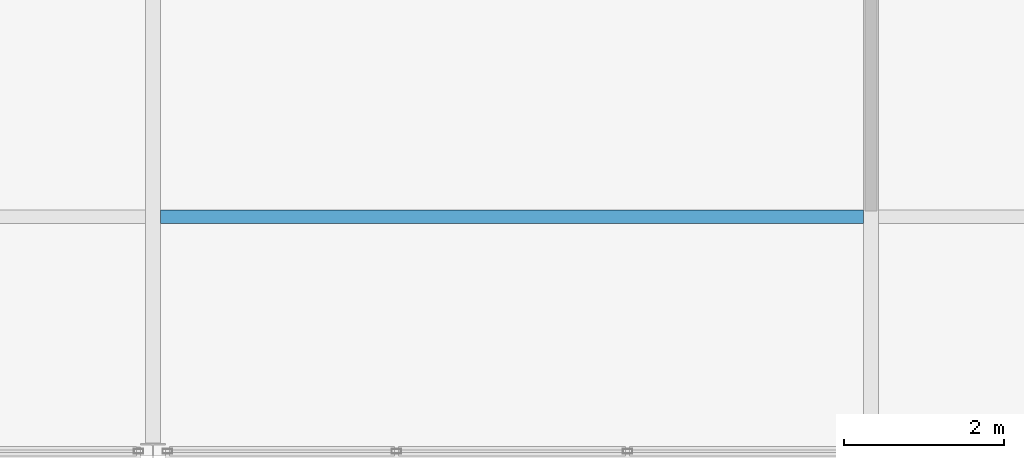
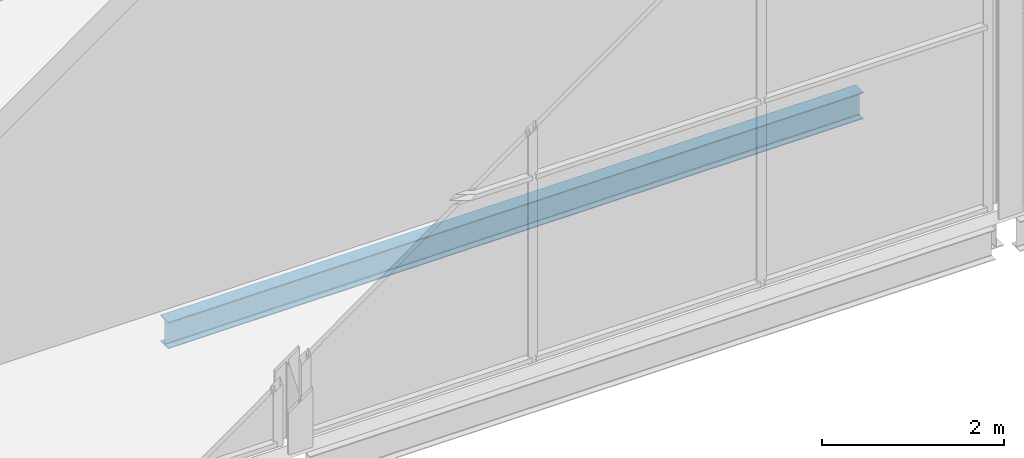
# One storey, part 61 of 111: 1 beam.
"""IFC4 building model written with IfcOpenShell, lengths in metres."""

from ifc_helpers import new_model, si_unit, direction, frame, origin, origin_2d, place, context, subcontext, project, spatial, i_section, extrude, material, material_profile, profile_set, type_object, element, save


model = new_model("IFC4")

# Units and contexts
model_context = context("Model", 3, precision=1e-05, world=origin(), true_north=direction((0.0, 1.0)))
body_context = subcontext(model_context, "Body", "Model", "MODEL_VIEW")
ifc_project = project(units=[si_unit("LENGTHUNIT", "METRE"), si_unit("AREAUNIT", "SQUARE_METRE"), si_unit("VOLUMEUNIT", "CUBIC_METRE"), si_unit("PLANEANGLEUNIT", "RADIAN"), si_unit("MASSUNIT", "GRAM", prefix="KILO")], contexts=[model_context])

# Site, building, storey
site_placement = place(None, origin())
site = spatial("IfcSite", under=ifc_project, at=site_placement, CompositionType="ELEMENT")
building_placement = place(site_placement, origin())
building = spatial("IfcBuilding", under=site, at=building_placement, Name="Shorebreak Coast Museum", CompositionType="ELEMENT")
storey_placement = place(building_placement, frame((0.0, 0.0, 16.0)))
storey = spatial("IfcBuildingStorey", under=building, at=storey_placement, Name="L03", CompositionType="ELEMENT", Elevation=16.0)

# Beam
ifc_material = material(Name="Steel Grade 300", Category="steel")
ifc_material_profile = material_profile(ifc_material, i_section(OverallWidth=0.1708984375, OverallDepth=0.355712890625, WebThickness=0.00732421875, FlangeThickness=0.011474609375, FilletRadius=0.011474609375, at=origin_2d()), Name="360UB50.7")
ifc_profile_set = profile_set([ifc_material_profile], Name="Steel Grade 300")
beam_type = type_object("IfcBeamType", Name="Floor joist 360UB50.7", PredefinedType="JOIST", material=ifc_profile_set)
beam_placement = place(storey_placement, frame((90.094970703125, 84.0, -0.352783203125), z_axis=(1.0, 0.0, 0.0), x_axis=(0.0, 1.0, 0.0)))
element("IfcBeam", 1, at=beam_placement, inside=storey, type_object=beam_type, Name="Floor joist L03 bay 11K at 3000 mm", PredefinedType="JOIST", context=body_context, shape_type="SweptSolid", body=[
    extrude(i_section(OverallWidth=0.1708984375, OverallDepth=0.355712890625, WebThickness=0.00732421875, FlangeThickness=0.011474609375, FilletRadius=0.011474609375, at=origin_2d()), origin(), (0.0, 0.0, 1.0), 8.81005859375),
])

save(model, "model.ifc")
